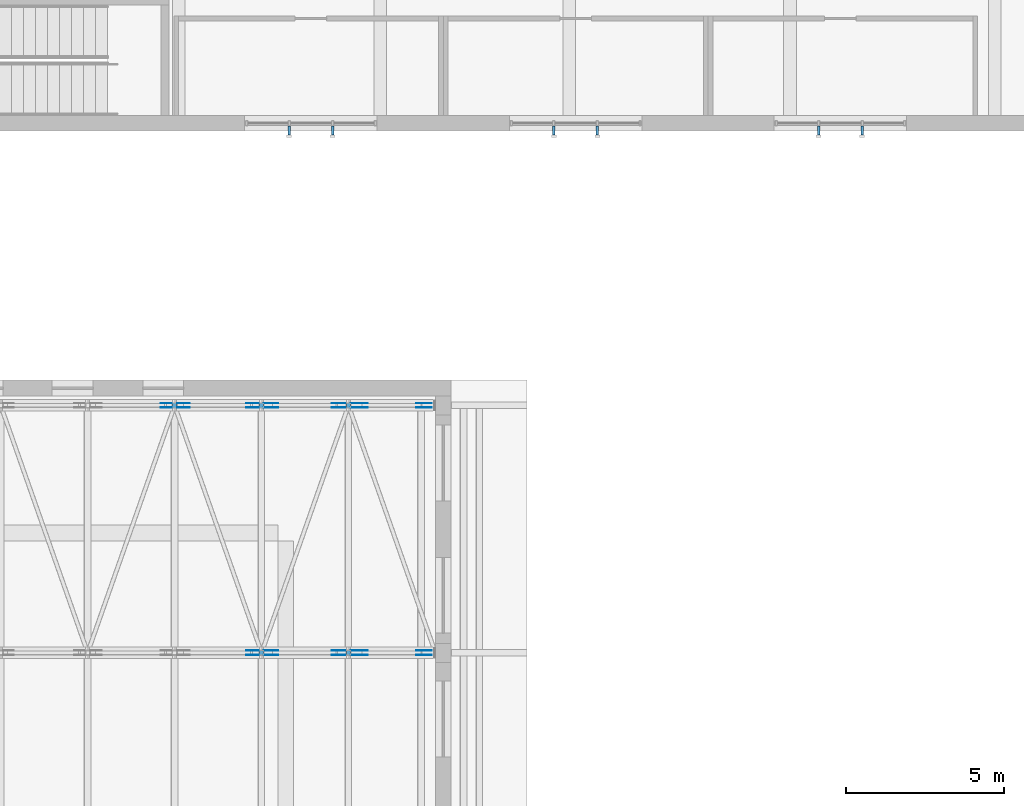
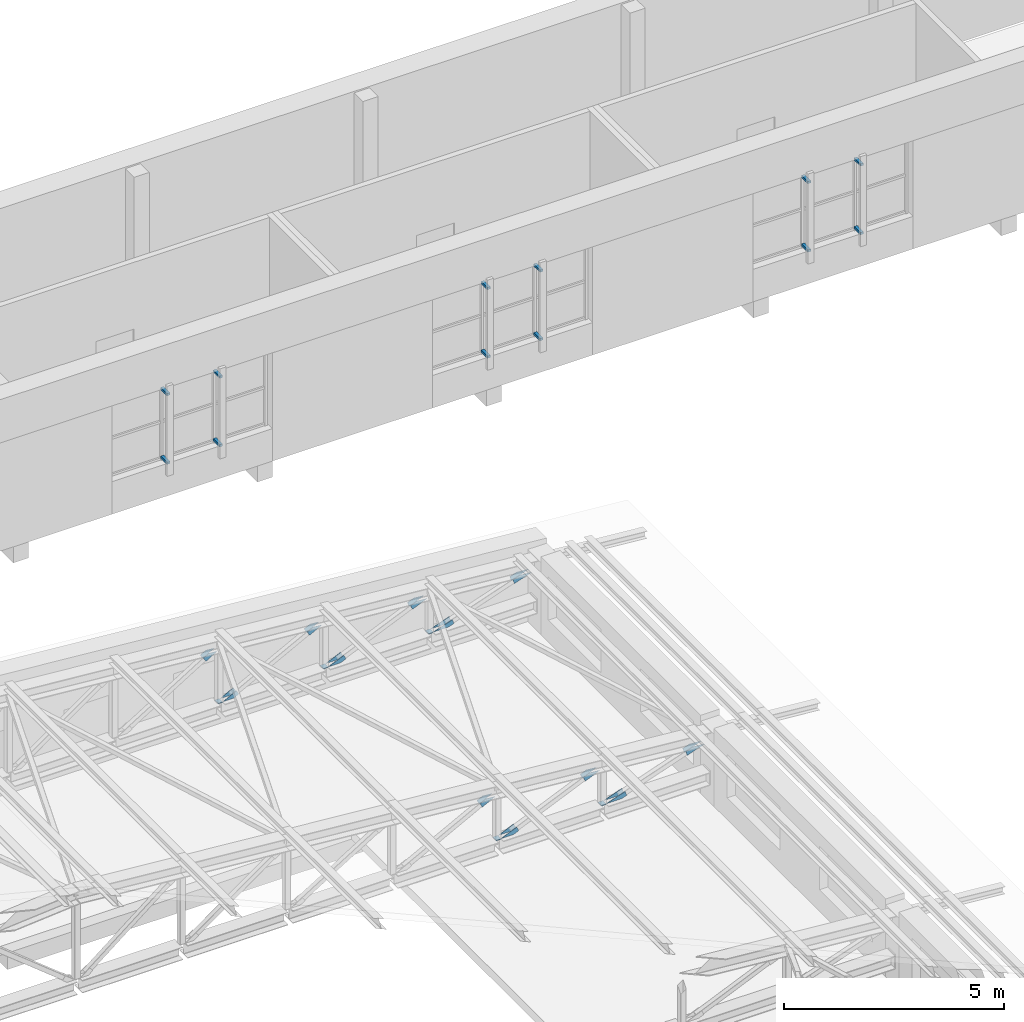
# One storey, part 51 of 60: 41 discrete accessories.
"""IFC4 building model written with IfcOpenShell, lengths in metres."""

from ifc_helpers import new_model, si_unit, direction, frame, origin, origin_2d, place, context, subcontext, project, spatial, polyline, rectangle, outline, extrude, material, layer, layer_set, type_object, element, save


model = new_model("IFC4")

# Units and contexts
model_context = context("Model", 3, precision=1e-05, world=origin(), true_north=direction((0.0, 1.0)))
body_context = subcontext(model_context, "Body", "Model", "MODEL_VIEW")
ifc_project = project(units=[si_unit("LENGTHUNIT", "METRE"), si_unit("AREAUNIT", "SQUARE_METRE"), si_unit("VOLUMEUNIT", "CUBIC_METRE"), si_unit("PLANEANGLEUNIT", "RADIAN"), si_unit("MASSUNIT", "GRAM", prefix="KILO")], contexts=[model_context])

# Site, building, storey
site_placement = place(None, origin())
site = spatial("IfcSite", under=ifc_project, at=site_placement, CompositionType="ELEMENT")
building_placement = place(site_placement, origin())
building = spatial("IfcBuilding", under=site, at=building_placement, Name="Ljudholm Concert House", CompositionType="ELEMENT")
storey_placement = place(building_placement, frame((0.0, 0.0, 15.0)))
storey = spatial("IfcBuildingStorey", under=building, at=storey_placement, Name="L03", CompositionType="ELEMENT", Elevation=15.0)

# Discrete accessories
ifc_material_1 = material(Name="Stainless steel bracket", Category="steel")
discrete_accessory_type_1 = type_object("IfcDiscreteAccessoryType", Name="BRACKET 290", PredefinedType="BRACKET", material=ifc_material_1)
for number, where, z_axis, x_axis, name in (
    (1, (41.110107421875, 54.175048828125, 0.969970703125), (0.0, 0.0, 1.0), (0.0, -1.0, 0.0), "Fin bracket"),
    (2, (41.110107421875, 54.175048828125, 2.869873046875), (0.0, 0.0, 1.0), (0.0, -1.0, 0.0), "Fin bracket"),
    (3, (42.489990234375, 54.175048828125, 0.969970703125), (0.0, 0.0, 1.0), (0.0, -1.0, 0.0), "Fin bracket"),
    (4, (42.489990234375, 54.175048828125, 2.869873046875), (0.0, 0.0, 1.0), (0.0, -1.0, 0.0), "Fin bracket"),
    (5, (49.510009765625, 54.175048828125, 0.969970703125), (0.0, 0.0, 1.0), (0.0, -1.0, 0.0), "Fin bracket"),
    (6, (49.510009765625, 54.175048828125, 2.869873046875), (0.0, 0.0, 1.0), (0.0, -1.0, 0.0), "Fin bracket"),
    (7, (50.889892578125, 54.175048828125, 0.969970703125), (0.0, 0.0, 1.0), (0.0, -1.0, 0.0), "Fin bracket"),
    (8, (50.889892578125, 54.175048828125, 2.869873046875), (0.0, 0.0, 1.0), (0.0, -1.0, 0.0), "Fin bracket"),
    (9, (57.909912109375, 54.175048828125, 0.969970703125), (0.0, 0.0, 1.0), (0.0, -1.0, 0.0), "Fin bracket"),
    (10, (57.909912109375, 54.175048828125, 2.869873046875), (0.0, 0.0, 1.0), (0.0, -1.0, 0.0), "Fin bracket"),
    (11, (59.2900390625, 54.175048828125, 0.969970703125), (0.0, 0.0, 1.0), (0.0, -1.0, 0.0), "Fin bracket"),
    (12, (59.2900390625, 54.175048828125, 2.869873046875), (0.0, 0.0, 1.0), (0.0, -1.0, 0.0), "Fin bracket"),
):
    element("IfcDiscreteAccessory", number, at=place(storey_placement, frame(where, z_axis=z_axis, x_axis=x_axis)), inside=storey, type_object=discrete_accessory_type_1, Name=name, PredefinedType="BRACKET", context=body_context, shape_type="SweptSolid", body=[
        extrude(rectangle(XDim=0.2900390625, YDim=0.080078125, at=origin_2d()), origin(), (0.0, 0.0, 1.0), 0.06005859375),
    ])
ifc_material_2 = material(Name="Steel ASTM A36 plate", Category="steel")
ifc_layer_1 = layer(ifc_material_2, 0.011962890625)
ifc_layer_set_1 = layer_set([ifc_layer_1], Name="Steel ASTM A36 plate")
discrete_accessory_type_2 = type_object("IfcDiscreteAccessoryType", Name="GUSSET PLATE 12", PredefinedType="BRACKET", material=ifc_layer_set_1)
for number, where, z_axis, x_axis, name in (
    (13, (37.794189453125, 37.66943359375, -15.0), (0.0, 0.0, 1.0), (1.0, 0.0, 0.0), "Gusset plate"),
    (14, (37.794189453125, 37.530517578125, -15.0), (0.0, 0.0, 1.0), (1.0, 0.0, 0.0), "Gusset plate"),
):
    element("IfcDiscreteAccessory", number, at=place(storey_placement, frame(where, z_axis=z_axis, x_axis=x_axis)), inside=storey, type_object=discrete_accessory_type_2, Name=name, PredefinedType="BRACKET", context=body_context, shape_type="SweptSolid", body=[
        extrude(outline(polyline([(1.95751953125, 17.036376953125), (2.109130859375, 17.1162109375), (2.343994140625, 17.09619140625), (2.0166015625, 16.924072265625), (1.95751953125, 17.036376953125)])), frame((0.0, 0.005859375, 0.0), z_axis=(0.0, -1.0, 0.0), x_axis=(1.0, 0.0, 0.0)), (0.0, 0.0, 1.0), 0.011962890625),
    ])
for number, where, z_axis, x_axis, name in (
    (15, (40.60205078125, 37.66943359375, -15.0), (0.0, 0.0, 1.0), (1.0, 0.0, 0.0), "Gusset plate"),
    (16, (40.60205078125, 37.530517578125, -15.0), (0.0, 0.0, 1.0), (1.0, 0.0, 0.0), "Gusset plate"),
):
    element("IfcDiscreteAccessory", number, at=place(storey_placement, frame(where, z_axis=z_axis, x_axis=x_axis)), inside=storey, type_object=discrete_accessory_type_2, Name=name, PredefinedType="BRACKET", context=body_context, shape_type="SweptSolid", body=[
        extrude(outline(polyline([(0.162841796875, 15.937744140625), (0.025390625, 15.877685546875), (-0.29248046875, 15.877685546875), (0.112060546875, 16.05419921875), (0.162841796875, 15.937744140625)])), frame((0.0, 0.005859375, 0.0), z_axis=(0.0, -1.0, 0.0), x_axis=(1.0, 0.0, 0.0)), (0.0, 0.0, 1.0), 0.011962890625),
    ])
for number, where, z_axis, x_axis, name in (
    (17, (40.60205078125, 37.66943359375, -15.0), (0.0, 0.0, 1.0), (1.0, 0.0, 0.0), "Gusset plate"),
    (18, (40.60205078125, 37.530517578125, -15.0), (0.0, 0.0, 1.0), (1.0, 0.0, 0.0), "Gusset plate"),
):
    element("IfcDiscreteAccessory", number, at=place(storey_placement, frame(where, z_axis=z_axis, x_axis=x_axis)), inside=storey, type_object=discrete_accessory_type_2, Name=name, PredefinedType="BRACKET", context=body_context, shape_type="SweptSolid", body=[
        extrude(outline(polyline([(1.85791015625, 16.81494140625), (2.021240234375, 16.885986328125), (2.28759765625, 16.863525390625), (1.90869140625, 16.698486328125), (1.85791015625, 16.81494140625)])), frame((0.0, 0.005859375, 0.0), z_axis=(0.0, -1.0, 0.0), x_axis=(1.0, 0.0, 0.0)), (0.0, 0.0, 1.0), 0.011962890625),
    ])
for number, where, z_axis, x_axis, name in (
    (19, (43.435791015625, 37.66943359375, -15.0), (0.0, 0.0, 1.0), (1.0, 0.0, 0.0), "Gusset plate"),
    (20, (43.435791015625, 37.530517578125, -15.0), (0.0, 0.0, 1.0), (1.0, 0.0, 0.0), "Gusset plate"),
):
    element("IfcDiscreteAccessory", number, at=place(storey_placement, frame(where, z_axis=z_axis, x_axis=x_axis)), inside=storey, type_object=discrete_accessory_type_2, Name=name, PredefinedType="BRACKET", context=body_context, shape_type="SweptSolid", body=[
        extrude(outline(polyline([(0.16259765625, 15.9267578125), (0.020751953125, 15.877685546875), (-0.367919921875, 15.877685546875), (0.12109375, 16.046875), (0.16259765625, 15.9267578125)])), frame((0.0, 0.005859375, 0.0), z_axis=(0.0, -1.0, 0.0), x_axis=(1.0, 0.0, 0.0)), (0.0, 0.0, 1.0), 0.011962890625),
    ])
for number, where, z_axis, x_axis, name in (
    (21, (43.435791015625, 37.66943359375, -15.0), (0.0, 0.0, 1.0), (1.0, 0.0, 0.0), "Gusset plate"),
    (22, (43.435791015625, 37.530517578125, -15.0), (0.0, 0.0, 1.0), (1.0, 0.0, 0.0), "Gusset plate"),
):
    element("IfcDiscreteAccessory", number, at=place(storey_placement, frame(where, z_axis=z_axis, x_axis=x_axis)), inside=storey, type_object=discrete_accessory_type_2, Name=name, PredefinedType="BRACKET", context=body_context, shape_type="SweptSolid", body=[
        extrude(outline(polyline([(1.707763671875, 16.595458984375), (1.8876953125, 16.65771484375), (2.2001953125, 16.631103515625), (1.749267578125, 16.475341796875), (1.707763671875, 16.595458984375)])), frame((0.0, 0.005859375, 0.0), z_axis=(0.0, -1.0, 0.0), x_axis=(1.0, 0.0, 0.0)), (0.0, 0.0, 1.0), 0.011962890625),
    ])
for number, where, z_axis, x_axis, name in (
    (23, (35.001220703125, 45.51953125, -15.0), (0.0, 0.0, 1.0), (1.0, 0.0, 0.0), "Gusset plate"),
    (24, (35.001220703125, 45.380615234375, -15.0), (0.0, 0.0, 1.0), (1.0, 0.0, 0.0), "Gusset plate"),
):
    element("IfcDiscreteAccessory", number, at=place(storey_placement, frame(where, z_axis=z_axis, x_axis=x_axis)), inside=storey, type_object=discrete_accessory_type_2, Name=name, PredefinedType="BRACKET", context=body_context, shape_type="SweptSolid", body=[
        extrude(outline(polyline([(2.0283203125, 17.259521484375), (2.17041015625, 17.34716796875), (2.383056640625, 17.3291015625), (2.09521484375, 17.1513671875), (2.0283203125, 17.259521484375)])), frame((0.0, 0.005859375, 0.0), z_axis=(0.0, -1.0, 0.0), x_axis=(1.0, 0.0, 0.0)), (0.0, 0.0, 1.0), 0.011962890625),
    ])
for number, where, z_axis, x_axis, name in (
    (25, (37.794189453125, 45.51953125, -15.0), (0.0, 0.0, 1.0), (1.0, 0.0, 0.0), "Gusset plate"),
    (26, (37.794189453125, 45.380615234375, -15.0), (0.0, 0.0, 1.0), (1.0, 0.0, 0.0), "Gusset plate"),
):
    element("IfcDiscreteAccessory", number, at=place(storey_placement, frame(where, z_axis=z_axis, x_axis=x_axis)), inside=storey, type_object=discrete_accessory_type_2, Name=name, PredefinedType="BRACKET", context=body_context, shape_type="SweptSolid", body=[
        extrude(outline(polyline([(0.162353515625, 15.94775390625), (0.029541015625, 15.877685546875), (-0.242919921875, 15.877685546875), (0.10302734375, 16.06005859375), (0.162353515625, 15.94775390625)])), frame((0.0, 0.005859375, 0.0), z_axis=(0.0, -1.0, 0.0), x_axis=(1.0, 0.0, 0.0)), (0.0, 0.0, 1.0), 0.011962890625),
    ])
for number, where, z_axis, x_axis, name in (
    (27, (37.794189453125, 45.51953125, -15.0), (0.0, 0.0, 1.0), (1.0, 0.0, 0.0), "Gusset plate"),
    (28, (37.794189453125, 45.380615234375, -15.0), (0.0, 0.0, 1.0), (1.0, 0.0, 0.0), "Gusset plate"),
):
    element("IfcDiscreteAccessory", number, at=place(storey_placement, frame(where, z_axis=z_axis, x_axis=x_axis)), inside=storey, type_object=discrete_accessory_type_2, Name=name, PredefinedType="BRACKET", context=body_context, shape_type="SweptSolid", body=[
        extrude(outline(polyline([(1.95751953125, 17.036376953125), (2.109130859375, 17.1162109375), (2.343994140625, 17.09619140625), (2.0166015625, 16.924072265625), (1.95751953125, 17.036376953125)])), frame((0.0, 0.005859375, 0.0), z_axis=(0.0, -1.0, 0.0), x_axis=(1.0, 0.0, 0.0)), (0.0, 0.0, 1.0), 0.011962890625),
    ])
for number, where, z_axis, x_axis, name in (
    (29, (40.60205078125, 45.51953125, -15.0), (0.0, 0.0, 1.0), (1.0, 0.0, 0.0), "Gusset plate"),
    (30, (40.60205078125, 45.380615234375, -15.0), (0.0, 0.0, 1.0), (1.0, 0.0, 0.0), "Gusset plate"),
):
    element("IfcDiscreteAccessory", number, at=place(storey_placement, frame(where, z_axis=z_axis, x_axis=x_axis)), inside=storey, type_object=discrete_accessory_type_2, Name=name, PredefinedType="BRACKET", context=body_context, shape_type="SweptSolid", body=[
        extrude(outline(polyline([(0.162841796875, 15.937744140625), (0.025390625, 15.877685546875), (-0.29248046875, 15.877685546875), (0.112060546875, 16.05419921875), (0.162841796875, 15.937744140625)])), frame((0.0, 0.005859375, 0.0), z_axis=(0.0, -1.0, 0.0), x_axis=(1.0, 0.0, 0.0)), (0.0, 0.0, 1.0), 0.011962890625),
    ])
for number, where, z_axis, x_axis, name in (
    (31, (40.60205078125, 45.51953125, -15.0), (0.0, 0.0, 1.0), (1.0, 0.0, 0.0), "Gusset plate"),
    (32, (40.60205078125, 45.380615234375, -15.0), (0.0, 0.0, 1.0), (1.0, 0.0, 0.0), "Gusset plate"),
):
    element("IfcDiscreteAccessory", number, at=place(storey_placement, frame(where, z_axis=z_axis, x_axis=x_axis)), inside=storey, type_object=discrete_accessory_type_2, Name=name, PredefinedType="BRACKET", context=body_context, shape_type="SweptSolid", body=[
        extrude(outline(polyline([(1.85791015625, 16.81494140625), (2.021240234375, 16.885986328125), (2.28759765625, 16.863525390625), (1.90869140625, 16.698486328125), (1.85791015625, 16.81494140625)])), frame((0.0, 0.005859375, 0.0), z_axis=(0.0, -1.0, 0.0), x_axis=(1.0, 0.0, 0.0)), (0.0, 0.0, 1.0), 0.011962890625),
    ])
for number, where, z_axis, x_axis, name in (
    (33, (43.435791015625, 45.51953125, -15.0), (0.0, 0.0, 1.0), (1.0, 0.0, 0.0), "Gusset plate"),
    (34, (43.435791015625, 45.380615234375, -15.0), (0.0, 0.0, 1.0), (1.0, 0.0, 0.0), "Gusset plate"),
):
    element("IfcDiscreteAccessory", number, at=place(storey_placement, frame(where, z_axis=z_axis, x_axis=x_axis)), inside=storey, type_object=discrete_accessory_type_2, Name=name, PredefinedType="BRACKET", context=body_context, shape_type="SweptSolid", body=[
        extrude(outline(polyline([(0.16259765625, 15.9267578125), (0.020751953125, 15.877685546875), (-0.367919921875, 15.877685546875), (0.12109375, 16.046875), (0.16259765625, 15.9267578125)])), frame((0.0, 0.005859375, 0.0), z_axis=(0.0, -1.0, 0.0), x_axis=(1.0, 0.0, 0.0)), (0.0, 0.0, 1.0), 0.011962890625),
    ])
for number, where, z_axis, x_axis, name in (
    (35, (43.435791015625, 45.51953125, -15.0), (0.0, 0.0, 1.0), (1.0, 0.0, 0.0), "Gusset plate"),
    (36, (43.435791015625, 45.380615234375, -15.0), (0.0, 0.0, 1.0), (1.0, 0.0, 0.0), "Gusset plate"),
):
    element("IfcDiscreteAccessory", number, at=place(storey_placement, frame(where, z_axis=z_axis, x_axis=x_axis)), inside=storey, type_object=discrete_accessory_type_2, Name=name, PredefinedType="BRACKET", context=body_context, shape_type="SweptSolid", body=[
        extrude(outline(polyline([(1.707763671875, 16.595458984375), (1.8876953125, 16.65771484375), (2.2001953125, 16.631103515625), (1.749267578125, 16.475341796875), (1.707763671875, 16.595458984375)])), frame((0.0, 0.005859375, 0.0), z_axis=(0.0, -1.0, 0.0), x_axis=(1.0, 0.0, 0.0)), (0.0, 0.0, 1.0), 0.011962890625),
    ])
ifc_material_3 = material(Name="Steel ASTM A36 plate", Category="steel")
ifc_layer_2 = layer(ifc_material_3, 0.01806640625)
ifc_layer_set_2 = layer_set([ifc_layer_2], Name="Steel ASTM A36 plate")
discrete_accessory_type_3 = type_object("IfcDiscreteAccessoryType", Name="SPLICE PLATE 18", PredefinedType="BRACKET", material=ifc_layer_set_2)
for number, where, z_axis, x_axis, name in (
    (37, (40.2333984375, 37.60009765625, 0.85986328125), (0.0, 0.0, 1.0), (1.0, 0.0, 0.0), "Chord splice plate"),
    (38, (42.99169921875, 37.60009765625, 0.85986328125), (0.0, 0.0, 1.0), (1.0, 0.0, 0.0), "Chord splice plate"),
    (39, (37.47509765625, 45.449951171875, 0.85986328125), (0.0, 0.0, 1.0), (1.0, 0.0, 0.0), "Chord splice plate"),
    (40, (40.2333984375, 45.449951171875, 0.85986328125), (0.0, 0.0, 1.0), (1.0, 0.0, 0.0), "Chord splice plate"),
    (41, (42.99169921875, 45.449951171875, 0.85986328125), (0.0, 0.0, 1.0), (1.0, 0.0, 0.0), "Chord splice plate"),
):
    element("IfcDiscreteAccessory", number, at=place(storey_placement, frame(where, z_axis=z_axis, x_axis=x_axis)), inside=storey, type_object=discrete_accessory_type_3, Name=name, PredefinedType="BRACKET", context=body_context, shape_type="SweptSolid", body=[
        extrude(rectangle(XDim=0.1240234375, YDim=0.15234375, at=origin_2d()), origin(), (0.0, 0.0, 1.0), 0.01806640625),
    ])

save(model, "model.ifc")
